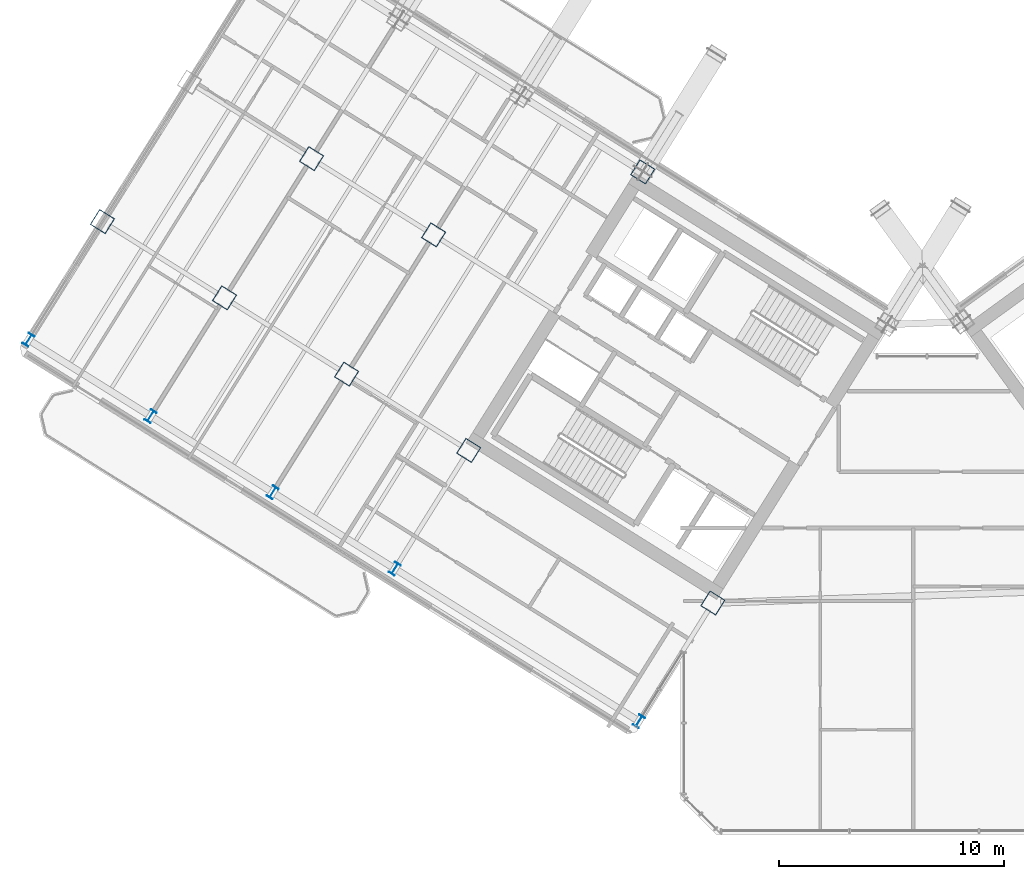
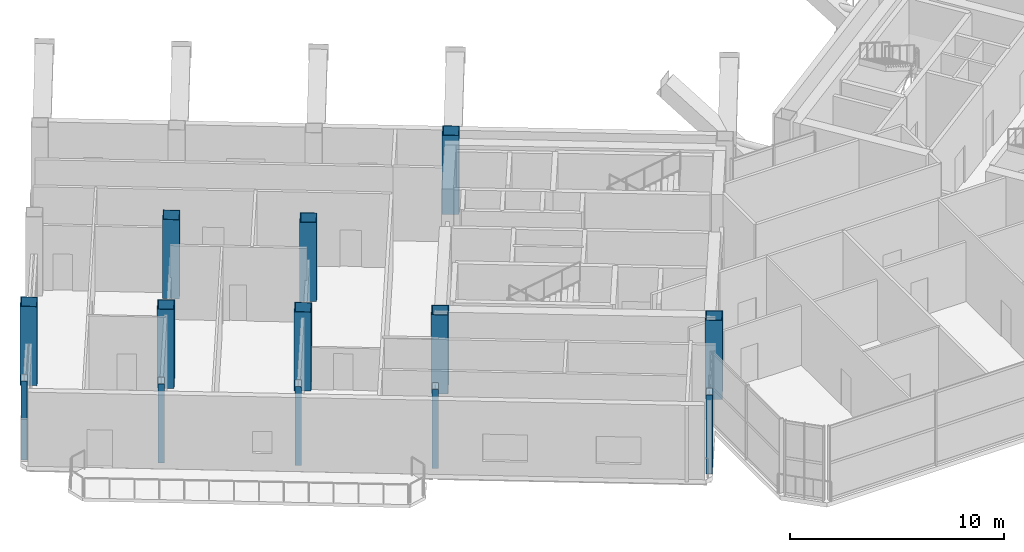
# One storey, part 1 of 34: 13 columns.
"""IFC4 building model written with IfcOpenShell, lengths in metres."""

from ifc_helpers import new_model, si_unit, direction, frame, origin, origin_2d, place, context, subcontext, project, spatial, hollow_rectangle, i_section, extrude, source, transform, mapped, material, material_profile, profile_set, type_object, element, save


model = new_model("IFC4")

# Units and contexts
model_context = context("Model", 3, precision=1e-05, world=origin(), true_north=direction((0.0, 1.0)))
body_context = subcontext(model_context, "Body", "Model", "MODEL_VIEW")
ifc_project = project(units=[si_unit("LENGTHUNIT", "METRE"), si_unit("AREAUNIT", "SQUARE_METRE"), si_unit("VOLUMEUNIT", "CUBIC_METRE"), si_unit("PLANEANGLEUNIT", "RADIAN"), si_unit("MASSUNIT", "GRAM", prefix="KILO")], contexts=[model_context])

# Site, building, storey
site_placement = place(None, origin())
site = spatial("IfcSite", under=ifc_project, at=site_placement, CompositionType="ELEMENT")
building_placement = place(site_placement, origin())
building = spatial("IfcBuilding", under=site, at=building_placement, Name="Tlacorven Tower", CompositionType="ELEMENT")
storey_placement = place(building_placement, frame((0.0, 0.0, 174.89990234375)))
storey = spatial("IfcBuildingStorey", under=building, at=storey_placement, Name="L44", CompositionType="ELEMENT", Elevation=174.89990234375)

# Columns
ifc_material = material(Name="Steel S460M", Category="steel")
ifc_material_profile_1 = material_profile(ifc_material, i_section(OverallWidth=0.300048828125, OverallDepth=0.550048828125, WebThickness=0.014892578125, FlangeThickness=0.029052734375, at=origin_2d()), Name="HEB 550")
ifc_profile_set_1 = profile_set([ifc_material_profile_1], Name="Steel S460M")
column_type_1 = type_object("IfcColumnType", Name="COL-TWR-P2", PredefinedType="COLUMN", material=ifc_profile_set_1)
shared_shape_1 = source(origin(), body_context, "Body", "SweptSolid", [
    extrude(i_section(OverallWidth=0.300048828125, OverallDepth=0.550048828125, WebThickness=0.014892578125, FlangeThickness=0.029052734375, at=origin_2d()), origin(), (0.0, 0.0, 1.0), 4.5),
])
for number, where, z_axis, x_axis, name in (
    (1, (29.7607421875, 6.8291015625, 0.0), (0.0, 0.0, 1.0), (-0.848048096156, 0.529919264233, 0.0), "L44 column COL-L44-W1-4"),
    (2, (18.905517578125, 13.612060546875, 0.0), (0.0, 0.0, 1.0), (-0.848048096156, 0.529919264233, 0.0), "L44 column COL-L44-W3-4"),
    (3, (13.47802734375, 17.00341796875, 0.0), (0.0, 0.0, 1.0), (-0.848048096156, 0.529919264233, 0.0), "L44 column COL-L44-W4-4"),
    (4, (8.050537109375, 20.39501953125, 0.0), (0.0, 0.0, 1.0), (-0.848048096156, 0.529919264233, 0.0), "L44 column COL-L44-W5-4"),
    (5, (2.623046875, 23.786376953125, 0.0), (0.0, 0.0, 1.0), (-0.848048096156, 0.529919264233, 0.0), "L44 column COL-L44-W6-4"),
):
    element("IfcColumn", number, at=place(storey_placement, frame(where, z_axis=z_axis, x_axis=x_axis)), inside=storey, type_object=column_type_1, Name=name, PredefinedType="COLUMN", context=body_context, shape_type="MappedRepresentation", body=[
        mapped(shared_shape_1, transform((0.0, 0.0, 0.0), scale=1.0)),
    ])
ifc_material_profile_2 = material_profile(ifc_material, hollow_rectangle(XDim=0.800048828125, YDim=0.800048828125, WallThickness=0.031982421875, at=origin_2d()), Name="BOX 800X800X32")
ifc_profile_set_2 = profile_set([ifc_material_profile_2], Name="Steel S460M")
column_type_2 = type_object("IfcColumnType", Name="COL-TWR-S3", PredefinedType="COLUMN", material=ifc_profile_set_2)
shared_shape_2 = source(origin(), body_context, "Body", "SweptSolid", [
    extrude(hollow_rectangle(XDim=0.800048828125, YDim=0.800048828125, WallThickness=0.031982421875, at=origin_2d()), origin(), (0.0, 0.0, 1.0), 4.5),
])
for number, where, z_axis, x_axis, name in (
    (6, (33.046142578125, 12.0869140625, 0.0), (0.0, 0.0, 1.0), (-0.848048096156, 0.529919264233, 0.0), "L44 column COL-L44-W1-3"),
    (7, (29.927978515625, 31.25146484375, 0.0), (0.0, 0.0, 1.0), (-0.848048096156, 0.529919264233, 0.0), "L44 column COL-L44-W3-1"),
    (8, (22.191162109375, 18.869873046875, 0.0), (0.0, 0.0, 1.0), (-0.848048096156, 0.529919264233, 0.0), "L44 column COL-L44-W3-3"),
    (9, (20.632080078125, 28.4521484375, 0.0), (0.0, 0.0, 1.0), (-0.848048096156, 0.529919264233, 0.0), "L44 column COL-L44-W4-2"),
    (10, (16.763671875, 22.26123046875, 0.0), (0.0, 0.0, 1.0), (-0.848048096156, 0.529919264233, 0.0), "L44 column COL-L44-W4-3"),
    (11, (15.20458984375, 31.843505859375, 0.0), (0.0, 0.0, 1.0), (-0.848048096156, 0.529919264233, 0.0), "L44 column COL-L44-W5-2"),
    (12, (11.336181640625, 25.65283203125, 0.0), (0.0, 0.0, 1.0), (-0.848048096156, 0.529919264233, 0.0), "L44 column COL-L44-W5-3"),
    (13, (5.90869140625, 29.044189453125, 0.0), (0.0, 0.0, 1.0), (-0.848048096156, 0.529919264233, 0.0), "L44 column COL-L44-W6-3"),
):
    element("IfcColumn", number, at=place(storey_placement, frame(where, z_axis=z_axis, x_axis=x_axis)), inside=storey, type_object=column_type_2, Name=name, PredefinedType="COLUMN", context=body_context, shape_type="MappedRepresentation", body=[
        mapped(shared_shape_2, transform((0.0, 0.0, 0.0), scale=1.0)),
    ])

save(model, "model.ifc")
